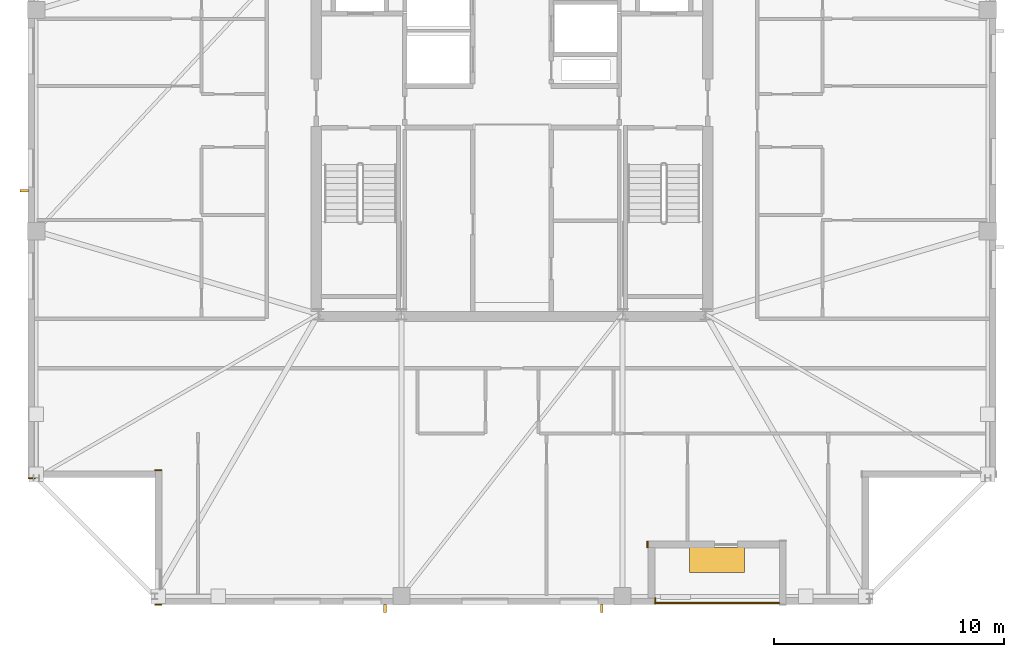
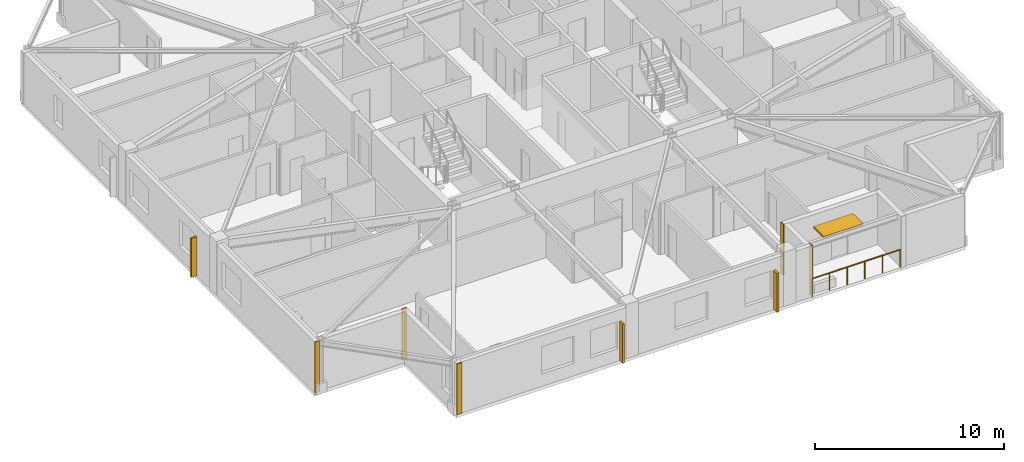
# One storey, part 12 of 15: 5 coverings, 4 shading devices, 1 railing.
"""IFC4 building model written with IfcOpenShell, lengths in metres."""

from ifc_helpers import new_model, si_unit, direction, frame, frame_2d, origin, origin_2d, place, context, subcontext, project, spatial, rectangle, circle, extrude, material, layer, layer_set, type_object, element, save


model = new_model("IFC4")

# Units and contexts
model_context = context("Model", 3, precision=1e-05, world=origin(), true_north=direction((0.0, 1.0)))
body_context = subcontext(model_context, "Body", "Model", "MODEL_VIEW")
ifc_project = project(units=[si_unit("LENGTHUNIT", "METRE"), si_unit("AREAUNIT", "SQUARE_METRE"), si_unit("VOLUMEUNIT", "CUBIC_METRE"), si_unit("PLANEANGLEUNIT", "RADIAN"), si_unit("MASSUNIT", "GRAM", prefix="KILO")], contexts=[model_context])

# Site, building, storey
site_placement = place(None, origin())
site = spatial("IfcSite", under=ifc_project, at=site_placement, CompositionType="ELEMENT")
building_placement = place(site_placement, origin())
building = spatial("IfcBuilding", under=site, at=building_placement, Name="Cairnveth Concourse Tower", CompositionType="ELEMENT")
storey_placement = place(building_placement, frame((0.0, 0.0, 284.0)))
storey = spatial("IfcBuildingStorey", under=building, at=storey_placement, Name="L78", CompositionType="ELEMENT", Elevation=284.0)

# Coverings
ifc_material_1 = material(Name="Dressed Melbourne Bluestone Cladding", Category="masonry")
ifc_layer = layer(ifc_material_1, 0.050048828125)
ifc_layer_set = layer_set([ifc_layer], Name="Dressed Melbourne Bluestone Cladding")
covering_type = type_object("IfcCoveringType", Name="DRESSED BLUESTONE PLINTH CLADDING 50", PredefinedType="CLADDING", material=ifc_layer_set)
for number, where, z_axis, x_axis, name in (
    (1, (58.219970703125, 18.300048828125, 0.0), (0.0, 0.0, 1.0), (0.0, -1.0, 0.0), "Melbourne Bluestone Corner Quoin L78-1179"),
    (2, (36.800048828125, 17.97998046875, 0.0), (0.0, 0.0, 1.0), (-1.0, 0.0, 0.0), "Melbourne Bluestone Corner Quoin L78-1180"),
    (3, (36.800048828125, 23.820068359375, 0.0), (0.0, 0.0, 1.0), (-1.0, 0.0, 0.0), "Melbourne Bluestone Corner Quoin L78-1181"),
    (4, (31.300048828125, 23.47998046875, 0.0), (0.0, 0.0, 1.0), (-1.0, 0.0, 0.0), "Melbourne Bluestone Corner Quoin L78-1182"),
    (5, (57.8798828125, 20.75, 0.0), (0.0, 0.0, 1.0), (0.0, -1.0, 0.0), "Melbourne Bluestone Corner Quoin L78-1194"),
):
    element("IfcCovering", number, at=place(storey_placement, frame(where, z_axis=z_axis, x_axis=x_axis)), inside=storey, type_object=covering_type, Name=name, PredefinedType="CLADDING", context=body_context, shape_type="SweptSolid", body=[
        extrude(rectangle(XDim=0.300048828125, YDim=0.050048828125, at=frame_2d((0.14990234375, 0.0))), origin(), (0.0, 0.0, 1.0), 3.2900390625),
    ])

# Shading devices
ifc_material_2 = material(Name="Architectural Bronze Anodised Aluminium 6063-T6", Category="aluminium")
shading_device_type_1 = type_object("IfcShadingDeviceType", Name="GOTHIC BRONZE VERTICAL LANCET FIN", PredefinedType="USERDEFINED", material=ifc_material_2)
for number, where, z_axis, x_axis, name in (
    (6, (55.894775390625, 17.824951171875, 0.030029296875), (0.0, 0.0, 1.0), (1.0, 0.0, 0.0), "Gothic Bronze Vertical Fin L78-0-1"),
    (7, (46.48388671875, 17.824951171875, 0.030029296875), (0.0, 0.0, 1.0), (1.0, 0.0, 0.0), "Gothic Bronze Vertical Fin L78-0-3"),
    (8, (30.824951171875, 35.95751953125, 0.030029296875), (0.0, 0.0, 1.0), (0.0, 1.0, 0.0), "Gothic Bronze Vertical Fin L78-3-3"),
):
    element("IfcShadingDevice", number, at=place(storey_placement, frame(where, z_axis=z_axis, x_axis=x_axis)), inside=storey, type_object=shading_device_type_1, Name=name, ObjectType="VERTICAL FIN", PredefinedType="USERDEFINED", context=body_context, shape_type="SweptSolid", body=[
        extrude(rectangle(XDim=0.1201171875, YDim=0.360107421875, at=origin_2d()), origin(), (0.0, 0.0, 1.0), 2.51806640625),
    ])
shading_device_type_2 = type_object("IfcShadingDeviceType", Name="SPIRAL TERRACE SUNSHADE CANOPY", PredefinedType="USERDEFINED", material=ifc_material_2)
shading_device_placement = place(storey_placement, frame((60.89990234375, 19.929931640625, 2.39794921875), z_axis=(0.0, 0.0, 1.0), x_axis=(1.0, 0.0, 0.0)))
element("IfcShadingDevice", 9, at=shading_device_placement, inside=storey, type_object=shading_device_type_2, Name="Spiral Terrace Sunshade L78", ObjectType="TERRACE SUNSHADE", PredefinedType="USERDEFINED", context=body_context, shape_type="SweptSolid", body=[
    extrude(rectangle(XDim=2.39990234375, YDim=1.10009765625, at=origin_2d()), origin(), (0.0, 0.0, 1.0), 0.1201171875),
])

# Railing
railing_type = type_object("IfcRailingType", Name="TERRACE BRONZE BALUSTRADE 1150", PredefinedType="BALUSTRADE", material=ifc_material_2)
railing_placement = place(storey_placement, frame((58.199951171875, 18.06005859375, 0.0)))
element("IfcRailing", 10, at=railing_placement, inside=storey, type_object=railing_type, Name="Terrace Balustrade RL-L78-TERR", PredefinedType="BALUSTRADE", context=body_context, shape_type="SweptSolid", body=[
    extrude(circle(Radius=0.02490234375, at=origin_2d()), frame((0.0, 0.0, 1.125), z_axis=(1.0, 0.0, 0.0), x_axis=(0.0, 1.0, 0.0)), (0.0, 0.0, 1.0), 5.400146484375),
    extrude(circle(Radius=0.02099609375, at=origin_2d()), origin(), (0.0, 0.0, 1.0), 1.099853515625),
    extrude(circle(Radius=0.02099609375, at=origin_2d()), frame((1.080078125, 0.0, 0.0)), (0.0, 0.0, 1.0), 1.099853515625),
    extrude(circle(Radius=0.02099609375, at=origin_2d()), frame((2.16015625, 0.0, 0.0)), (0.0, 0.0, 1.0), 1.099853515625),
    extrude(circle(Radius=0.02099609375, at=origin_2d()), frame((3.239990234375, 0.0, 0.0)), (0.0, 0.0, 1.0), 1.099853515625),
    extrude(circle(Radius=0.02099609375, at=origin_2d()), frame((4.320068359375, 0.0, 0.0)), (0.0, 0.0, 1.0), 1.099853515625),
    extrude(circle(Radius=0.02099609375, at=origin_2d()), frame((5.400146484375, 0.0, 0.0)), (0.0, 0.0, 1.0), 1.099853515625),
])

save(model, "model.ifc")
